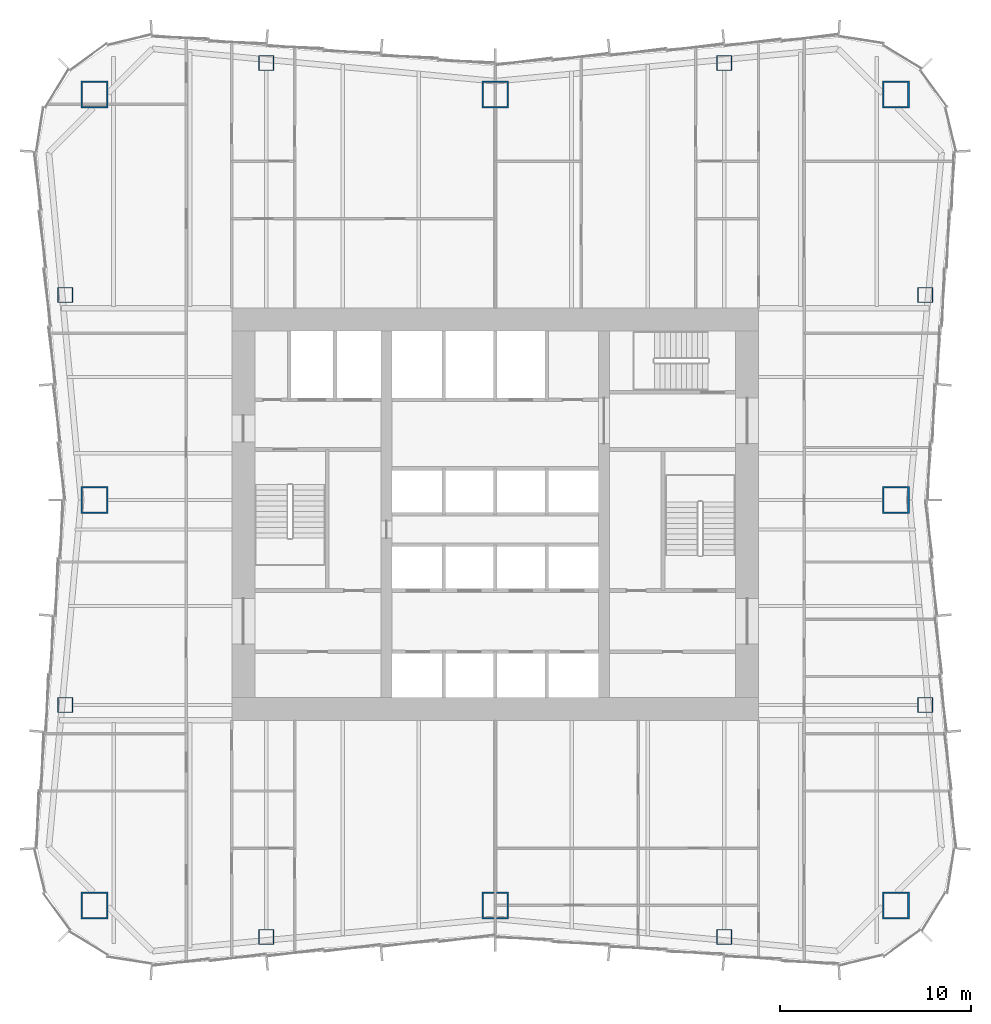
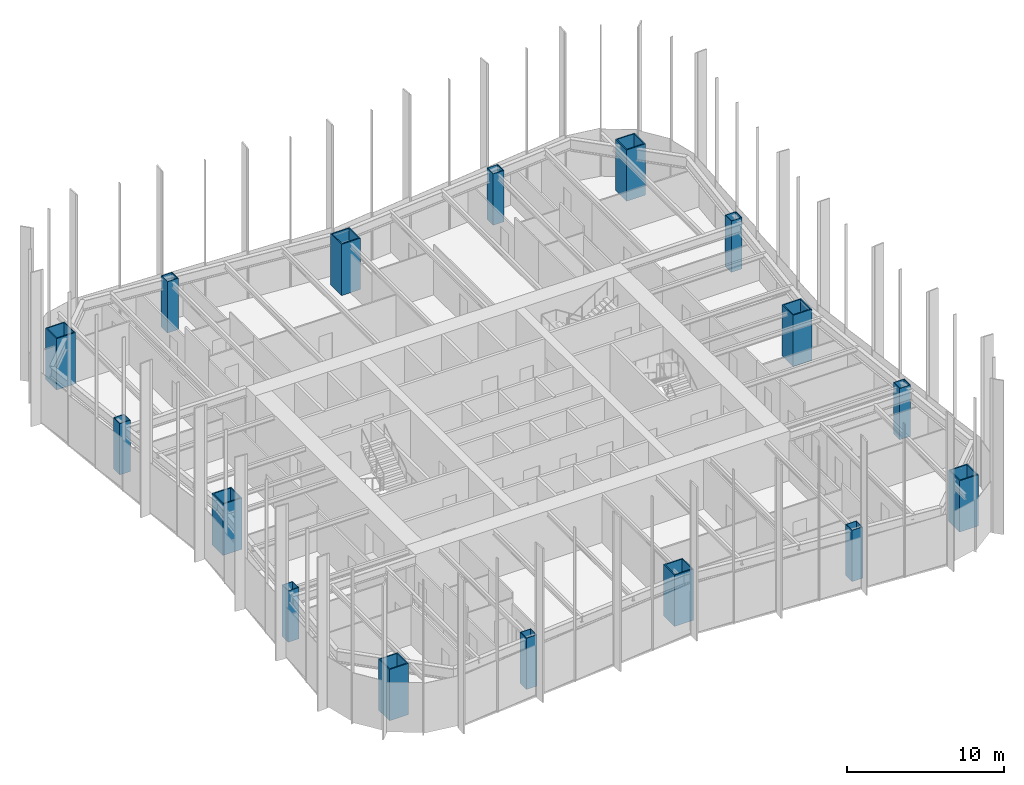
# One storey, part 1 of 13: 16 columns.
"""IFC4 building model written with IfcOpenShell, lengths in metres."""

from ifc_helpers import new_model, si_unit, direction, frame, origin, origin_2d, place, context, subcontext, project, spatial, hollow_rectangle, extrude, material, material_profile, profile_set, type_object, element, save


model = new_model("IFC4")

# Units and contexts
model_context = context("Model", 3, precision=1e-05, world=origin(), true_north=direction((0.0, 1.0)))
body_context = subcontext(model_context, "Body", "Model", "MODEL_VIEW")
ifc_project = project(units=[si_unit("LENGTHUNIT", "METRE"), si_unit("AREAUNIT", "SQUARE_METRE"), si_unit("VOLUMEUNIT", "CUBIC_METRE"), si_unit("PLANEANGLEUNIT", "RADIAN"), si_unit("MASSUNIT", "GRAM", prefix="KILO")], contexts=[model_context])

# Site, building, storey
site_placement = place(None, origin())
site = spatial("IfcSite", under=ifc_project, at=site_placement, CompositionType="ELEMENT")
building_placement = place(site_placement, origin())
building = spatial("IfcBuilding", under=site, at=building_placement, Name="Verdant Reach Tower", CompositionType="ELEMENT")
storey_placement = place(building_placement, frame((0.0, 0.0, 82.0)))
storey = spatial("IfcBuildingStorey", under=building, at=storey_placement, Name="L18", CompositionType="ELEMENT", Elevation=82.0)

# Columns
ifc_material = material(Name="Steel S460", Category="steel")
ifc_material_profile_1 = material_profile(ifc_material, hollow_rectangle(XDim=1.39990234375, YDim=1.39990234375, WallThickness=0.080078125, at=origin_2d()), Name="WB 1400x1400x80")
ifc_profile_set_1 = profile_set([ifc_material_profile_1], Name="Steel S460")
column_type_1 = type_object("IfcColumnType", Name="ST-COL-WB1400x1400x80", PredefinedType="COLUMN", material=ifc_profile_set_1)
for number, where, z_axis, x_axis, name in (
    (1, (-21.0, 50.0, 0.0), (0.0, 0.0, 1.0), (1.0, 0.0, 0.0), "Mega column north-west, L18"),
    (2, (0.0, 50.0, 0.0), (0.0, 0.0, 1.0), (1.0, 0.0, 0.0), "Mega column north, L18"),
    (3, (21.0, 50.0, 0.0), (0.0, 0.0, 1.0), (1.0, 0.0, 0.0), "Mega column north-east, L18"),
    (4, (21.0, 28.75, 0.0), (0.0, 0.0, 1.0), (1.0, 0.0, 0.0), "Mega column east, L18"),
    (5, (21.0, 7.5, 0.0), (0.0, 0.0, 1.0), (1.0, 0.0, 0.0), "Mega column south-east, L18"),
    (6, (0.0, 7.5, 0.0), (0.0, 0.0, 1.0), (1.0, 0.0, 0.0), "Mega column south, L18"),
    (7, (-21.0, 7.5, 0.0), (0.0, 0.0, 1.0), (1.0, 0.0, 0.0), "Mega column south-west, L18"),
    (8, (-21.0, 28.75, 0.0), (0.0, 0.0, 1.0), (1.0, 0.0, 0.0), "Mega column west, L18"),
):
    element("IfcColumn", number, at=place(storey_placement, frame(where, z_axis=z_axis, x_axis=x_axis)), inside=storey, type_object=column_type_1, Name=name, PredefinedType="COLUMN", context=body_context, shape_type="SweptSolid", body=[
        extrude(hollow_rectangle(XDim=1.39990234375, YDim=1.39990234375, WallThickness=0.080078125, at=origin_2d()), origin(), (0.0, 0.0, 1.0), 4.0),
    ])
ifc_material_profile_2 = material_profile(ifc_material, hollow_rectangle(XDim=0.800048828125, YDim=0.800048828125, WallThickness=0.0400390625, at=origin_2d()), Name="WB 800x800x40")
ifc_profile_set_2 = profile_set([ifc_material_profile_2], Name="Steel S460")
column_type_2 = type_object("IfcColumnType", Name="ST-COL-WB800x800x40", PredefinedType="COLUMN", material=ifc_profile_set_2)
for number, where, z_axis, x_axis, name in (
    (9, (-12.0, 51.64990234375, 0.0), (0.0, 0.0, 1.0), (1.0, 0.0, 0.0), "Perimeter column north 1, L18"),
    (10, (12.0, 51.64990234375, 0.0), (0.0, 0.0, 1.0), (1.0, 0.0, 0.0), "Perimeter column north 2, L18"),
    (11, (-12.0, 5.85009765625, 0.0), (0.0, 0.0, 1.0), (1.0, 0.0, 0.0), "Perimeter column south 1, L18"),
    (12, (12.0, 5.85009765625, 0.0), (0.0, 0.0, 1.0), (1.0, 0.0, 0.0), "Perimeter column south 2, L18"),
    (13, (22.53369140625, 18.0, 0.0), (0.0, 0.0, 1.0), (1.0, 0.0, 0.0), "Perimeter column east 1, L18"),
    (14, (22.53369140625, 39.5, 0.0), (0.0, 0.0, 1.0), (1.0, 0.0, 0.0), "Perimeter column east 2, L18"),
    (15, (-22.53369140625, 18.0, 0.0), (0.0, 0.0, 1.0), (1.0, 0.0, 0.0), "Perimeter column west 1, L18"),
    (16, (-22.53369140625, 39.5, 0.0), (0.0, 0.0, 1.0), (1.0, 0.0, 0.0), "Perimeter column west 2, L18"),
):
    element("IfcColumn", number, at=place(storey_placement, frame(where, z_axis=z_axis, x_axis=x_axis)), inside=storey, type_object=column_type_2, Name=name, PredefinedType="COLUMN", context=body_context, shape_type="SweptSolid", body=[
        extrude(hollow_rectangle(XDim=0.800048828125, YDim=0.800048828125, WallThickness=0.0400390625, at=origin_2d()), origin(), (0.0, 0.0, 1.0), 4.0),
    ])

save(model, "model.ifc")
